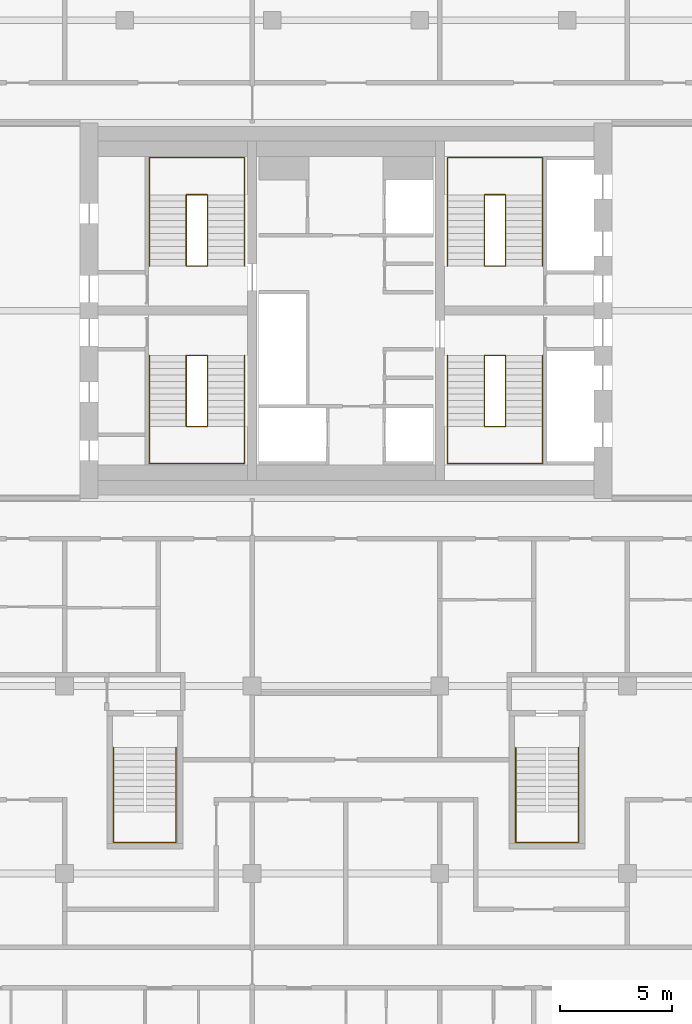
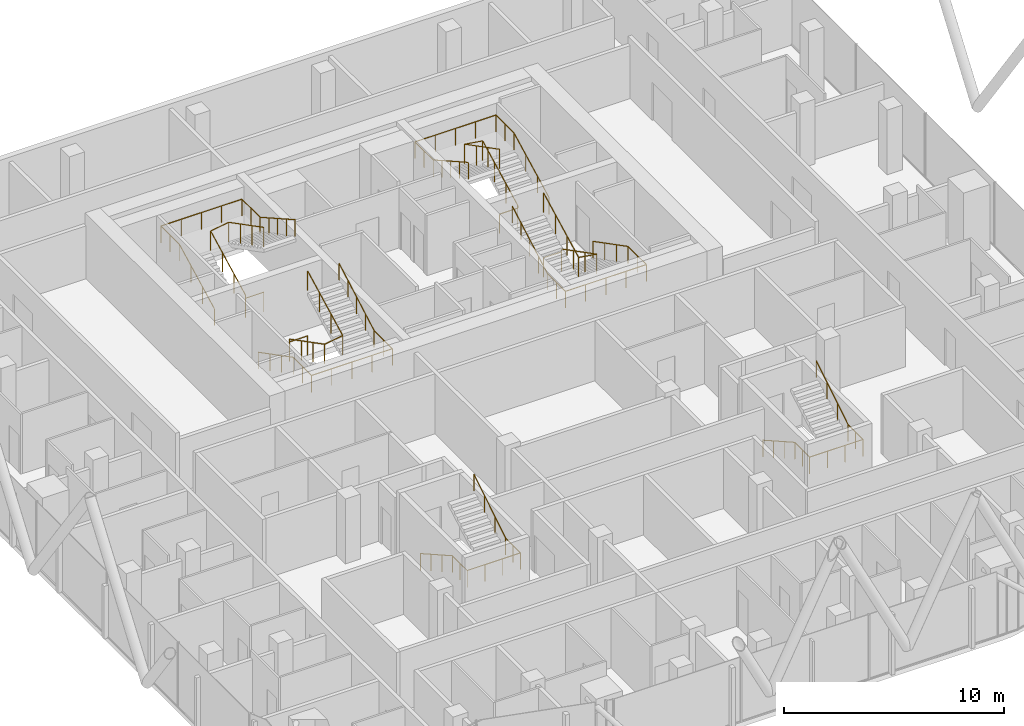
# One storey, part 28 of 28: 10 railings.
"""IFC4 building model written with IfcOpenShell, lengths in metres."""

from ifc_helpers import new_model, si_unit, direction, frame, origin, origin_2d, place, context, subcontext, project, spatial, circle, extrude, material, type_object, element, save


model = new_model("IFC4")

# Units and contexts
model_context = context("Model", 3, precision=1e-05, world=origin(), true_north=direction((0.0, 1.0)))
body_context = subcontext(model_context, "Body", "Model", "MODEL_VIEW")
ifc_project = project(units=[si_unit("LENGTHUNIT", "METRE"), si_unit("AREAUNIT", "SQUARE_METRE"), si_unit("VOLUMEUNIT", "CUBIC_METRE"), si_unit("PLANEANGLEUNIT", "RADIAN"), si_unit("MASSUNIT", "GRAM", prefix="KILO")], contexts=[model_context])

# Site, building, storey
site_placement = place(None, origin())
site = spatial("IfcSite", under=ifc_project, at=site_placement, CompositionType="ELEMENT")
building_placement = place(site_placement, origin())
building = spatial("IfcBuilding", under=site, at=building_placement, Name="Marenta Gate Hotel Tower", CompositionType="ELEMENT")
storey_placement = place(building_placement, frame((0.0, 0.0, 227.300048828125)))
storey = spatial("IfcBuildingStorey", under=building, at=storey_placement, Name="L53", CompositionType="ELEMENT", Elevation=227.300048828125)

# Railings
ifc_material_1 = material(Name="Stainless steel", Category="steel")
railing_type_1 = type_object("IfcRailingType", Name="Core stair handrail 950", PredefinedType="HANDRAIL", material=ifc_material_1)
railing_1_placement = place(storey_placement, frame((-8.800048828125, 6.39990234375, 0.14990234375)))
element("IfcRailing", 1, at=railing_1_placement, inside=storey, type_object=railing_type_1, Name="HR-950 L53-KR-ST1-1", PredefinedType="HANDRAIL", context=body_context, shape_type="SweptSolid", body=[
    extrude(circle(Radius=0.02392578125, at=origin_2d()), frame((0.0, 0.0, 0.92578125), z_axis=(0.0, -0.888197555067, 0.459461753765), x_axis=(1.0, 0.0, 0.0)), (0.0, 0.0, 1.0), 3.591552734375),
    extrude(circle(Radius=0.02392578125, at=origin_2d()), frame((0.0, -3.18994140625, 2.576171875), z_axis=(0.0, -1.0, 0.0), x_axis=(1.0, 0.0, 0.0)), (0.0, 0.0, 1.0), 1.659912109375),
    extrude(circle(Radius=0.02392578125, at=origin_2d()), frame((0.0, -4.849853515625, 2.576171875), z_axis=(1.0, 0.0, 0.0), x_axis=(0.0, 1.0, 0.0)), (0.0, 0.0, 1.0), 4.25),
    extrude(circle(Radius=0.02392578125, at=origin_2d()), frame((4.25, -4.849853515625, 2.576171875), z_axis=(0.0, 1.0, 0.0), x_axis=(-1.0, 0.0, 0.0)), (0.0, 0.0, 1.0), 1.659912109375),
    extrude(circle(Radius=0.02392578125, at=origin_2d()), frame((4.25, -3.18994140625, 2.576171875), z_axis=(0.0, 0.870937506535, 0.491393792911), x_axis=(-1.0, 0.0, 0.0)), (0.0, 0.0, 1.0), 3.66259765625),
    extrude(circle(Radius=0.02099609375, at=origin_2d()), origin(), (0.0, 0.0, 1.0), 0.90185546875),
    extrude(circle(Radius=0.02099609375, at=origin_2d()), frame((0.0, -1.063232421875, 0.550048828125)), (0.0, 0.0, 1.0), 0.90185546875),
    extrude(circle(Radius=0.02099609375, at=origin_2d()), frame((0.0, -2.126708984375, 1.10009765625)), (0.0, 0.0, 1.0), 0.90185546875),
    extrude(circle(Radius=0.02099609375, at=origin_2d()), frame((0.0, -3.18994140625, 1.650146484375)), (0.0, 0.0, 1.0), 0.90185546875),
    extrude(circle(Radius=0.02099609375, at=origin_2d()), frame((0.0, -4.02001953125, 1.650146484375)), (0.0, 0.0, 1.0), 0.90185546875),
    extrude(circle(Radius=0.02099609375, at=origin_2d()), frame((0.0, -4.849853515625, 1.650146484375)), (0.0, 0.0, 1.0), 0.90185546875),
    extrude(circle(Radius=0.02099609375, at=origin_2d()), frame((1.0625, -4.849853515625, 1.650146484375)), (0.0, 0.0, 1.0), 0.90185546875),
    extrude(circle(Radius=0.02099609375, at=origin_2d()), frame((2.125, -4.849853515625, 1.650146484375)), (0.0, 0.0, 1.0), 0.90185546875),
    extrude(circle(Radius=0.02099609375, at=origin_2d()), frame((3.1875, -4.849853515625, 1.650146484375)), (0.0, 0.0, 1.0), 0.90185546875),
    extrude(circle(Radius=0.02099609375, at=origin_2d()), frame((4.25, -4.849853515625, 1.650146484375)), (0.0, 0.0, 1.0), 0.90185546875),
    extrude(circle(Radius=0.02099609375, at=origin_2d()), frame((4.25, -4.02001953125, 1.650146484375)), (0.0, 0.0, 1.0), 0.90185546875),
    extrude(circle(Radius=0.02099609375, at=origin_2d()), frame((4.25, -3.18994140625, 1.650146484375)), (0.0, 0.0, 1.0), 0.90185546875),
    extrude(circle(Radius=0.02099609375, at=origin_2d()), frame((4.25, -2.392578125, 2.10009765625)), (0.0, 0.0, 1.0), 0.90185546875),
    extrude(circle(Radius=0.02099609375, at=origin_2d()), frame((4.25, -1.594970703125, 2.550048828125)), (0.0, 0.0, 1.0), 0.90185546875),
    extrude(circle(Radius=0.02099609375, at=origin_2d()), frame((4.25, -0.79736328125, 3.0)), (0.0, 0.0, 1.0), 0.90185546875),
    extrude(circle(Radius=0.02099609375, at=origin_2d()), frame((4.25, 0.0, 3.449951171875)), (0.0, 0.0, 1.0), 0.90185546875),
])
railing_2_placement = place(storey_placement, frame((-8.800048828125, 10.39990234375, 0.14990234375)))
element("IfcRailing", 2, at=railing_2_placement, inside=storey, type_object=railing_type_1, Name="HR-950 L53-KR-ST2-1", PredefinedType="HANDRAIL", context=body_context, shape_type="SweptSolid", body=[
    extrude(circle(Radius=0.02392578125, at=origin_2d()), frame((0.0, 0.0, 0.92578125), z_axis=(0.0, 0.888211904222, 0.459434013977), x_axis=(-1.0, 0.0, 0.0)), (0.0, 0.0, 1.0), 3.591796875),
    extrude(circle(Radius=0.02392578125, at=origin_2d()), frame((0.0, 3.190185546875, 2.576171875), z_axis=(0.0, 1.0, 0.0), x_axis=(-1.0, 0.0, 0.0)), (0.0, 0.0, 1.0), 1.659912109375),
    extrude(circle(Radius=0.02392578125, at=origin_2d()), frame((0.0, 4.85009765625, 2.576171875), z_axis=(1.0, 0.0, 0.0), x_axis=(0.0, 1.0, 0.0)), (0.0, 0.0, 1.0), 4.25),
    extrude(circle(Radius=0.02392578125, at=origin_2d()), frame((4.25, 4.85009765625, 2.576171875), z_axis=(0.0, -1.0, 0.0), x_axis=(1.0, 0.0, 0.0)), (0.0, 0.0, 1.0), 1.659912109375),
    extrude(circle(Radius=0.02392578125, at=origin_2d()), frame((4.25, 3.190185546875, 2.576171875), z_axis=(0.0, -0.870953600603, 0.491365266982), x_axis=(1.0, 0.0, 0.0)), (0.0, 0.0, 1.0), 3.662841796875),
    extrude(circle(Radius=0.02099609375, at=origin_2d()), origin(), (0.0, 0.0, 1.0), 0.90185546875),
    extrude(circle(Radius=0.02099609375, at=origin_2d()), frame((0.0, 1.0634765625, 0.550048828125)), (0.0, 0.0, 1.0), 0.90185546875),
    extrude(circle(Radius=0.02099609375, at=origin_2d()), frame((0.0, 2.126708984375, 1.10009765625)), (0.0, 0.0, 1.0), 0.90185546875),
    extrude(circle(Radius=0.02099609375, at=origin_2d()), frame((0.0, 3.190185546875, 1.650146484375)), (0.0, 0.0, 1.0), 0.90185546875),
    extrude(circle(Radius=0.02099609375, at=origin_2d()), frame((0.0, 4.02001953125, 1.650146484375)), (0.0, 0.0, 1.0), 0.90185546875),
    extrude(circle(Radius=0.02099609375, at=origin_2d()), frame((0.0, 4.85009765625, 1.650146484375)), (0.0, 0.0, 1.0), 0.90185546875),
    extrude(circle(Radius=0.02099609375, at=origin_2d()), frame((1.0625, 4.85009765625, 1.650146484375)), (0.0, 0.0, 1.0), 0.90185546875),
    extrude(circle(Radius=0.02099609375, at=origin_2d()), frame((2.125, 4.85009765625, 1.650146484375)), (0.0, 0.0, 1.0), 0.90185546875),
    extrude(circle(Radius=0.02099609375, at=origin_2d()), frame((3.1875, 4.85009765625, 1.650146484375)), (0.0, 0.0, 1.0), 0.90185546875),
    extrude(circle(Radius=0.02099609375, at=origin_2d()), frame((4.25, 4.85009765625, 1.650146484375)), (0.0, 0.0, 1.0), 0.90185546875),
    extrude(circle(Radius=0.02099609375, at=origin_2d()), frame((4.25, 4.02001953125, 1.650146484375)), (0.0, 0.0, 1.0), 0.90185546875),
    extrude(circle(Radius=0.02099609375, at=origin_2d()), frame((4.25, 3.190185546875, 1.650146484375)), (0.0, 0.0, 1.0), 0.90185546875),
    extrude(circle(Radius=0.02099609375, at=origin_2d()), frame((4.25, 2.392578125, 2.10009765625)), (0.0, 0.0, 1.0), 0.90185546875),
    extrude(circle(Radius=0.02099609375, at=origin_2d()), frame((4.25, 1.59521484375, 2.550048828125)), (0.0, 0.0, 1.0), 0.90185546875),
    extrude(circle(Radius=0.02099609375, at=origin_2d()), frame((4.25, 0.797607421875, 3.0)), (0.0, 0.0, 1.0), 0.90185546875),
    extrude(circle(Radius=0.02099609375, at=origin_2d()), frame((4.25, 0.0, 3.449951171875)), (0.0, 0.0, 1.0), 0.90185546875),
])
railing_3_placement = place(storey_placement, frame((8.800048828125, 6.39990234375, 0.14990234375)))
element("IfcRailing", 3, at=railing_3_placement, inside=storey, type_object=railing_type_1, Name="HR-950 L53-KR-ST3-1", PredefinedType="HANDRAIL", context=body_context, shape_type="SweptSolid", body=[
    extrude(circle(Radius=0.02392578125, at=origin_2d()), frame((0.0, 0.0, 0.92578125), z_axis=(0.0, -0.888197555067, 0.459461753765), x_axis=(1.0, 0.0, 0.0)), (0.0, 0.0, 1.0), 3.591552734375),
    extrude(circle(Radius=0.02392578125, at=origin_2d()), frame((0.0, -3.18994140625, 2.576171875), z_axis=(0.0, -1.0, 0.0), x_axis=(1.0, 0.0, 0.0)), (0.0, 0.0, 1.0), 1.659912109375),
    extrude(circle(Radius=0.02392578125, at=origin_2d()), frame((0.0, -4.849853515625, 2.576171875), z_axis=(-1.0, 0.0, 0.0), x_axis=(0.0, -1.0, 0.0)), (0.0, 0.0, 1.0), 4.25),
    extrude(circle(Radius=0.02392578125, at=origin_2d()), frame((-4.25, -4.849853515625, 2.576171875), z_axis=(0.0, 1.0, 0.0), x_axis=(-1.0, 0.0, 0.0)), (0.0, 0.0, 1.0), 1.659912109375),
    extrude(circle(Radius=0.02392578125, at=origin_2d()), frame((-4.25, -3.18994140625, 2.576171875), z_axis=(0.0, 0.870937506535, 0.491393792911), x_axis=(-1.0, 0.0, 0.0)), (0.0, 0.0, 1.0), 3.66259765625),
    extrude(circle(Radius=0.02099609375, at=origin_2d()), origin(), (0.0, 0.0, 1.0), 0.90185546875),
    extrude(circle(Radius=0.02099609375, at=origin_2d()), frame((0.0, -1.063232421875, 0.550048828125)), (0.0, 0.0, 1.0), 0.90185546875),
    extrude(circle(Radius=0.02099609375, at=origin_2d()), frame((0.0, -2.126708984375, 1.10009765625)), (0.0, 0.0, 1.0), 0.90185546875),
    extrude(circle(Radius=0.02099609375, at=origin_2d()), frame((0.0, -3.18994140625, 1.650146484375)), (0.0, 0.0, 1.0), 0.90185546875),
    extrude(circle(Radius=0.02099609375, at=origin_2d()), frame((0.0, -4.02001953125, 1.650146484375)), (0.0, 0.0, 1.0), 0.90185546875),
    extrude(circle(Radius=0.02099609375, at=origin_2d()), frame((0.0, -4.849853515625, 1.650146484375)), (0.0, 0.0, 1.0), 0.90185546875),
    extrude(circle(Radius=0.02099609375, at=origin_2d()), frame((-1.0625, -4.849853515625, 1.650146484375)), (0.0, 0.0, 1.0), 0.90185546875),
    extrude(circle(Radius=0.02099609375, at=origin_2d()), frame((-2.125, -4.849853515625, 1.650146484375)), (0.0, 0.0, 1.0), 0.90185546875),
    extrude(circle(Radius=0.02099609375, at=origin_2d()), frame((-3.1875, -4.849853515625, 1.650146484375)), (0.0, 0.0, 1.0), 0.90185546875),
    extrude(circle(Radius=0.02099609375, at=origin_2d()), frame((-4.25, -4.849853515625, 1.650146484375)), (0.0, 0.0, 1.0), 0.90185546875),
    extrude(circle(Radius=0.02099609375, at=origin_2d()), frame((-4.25, -4.02001953125, 1.650146484375)), (0.0, 0.0, 1.0), 0.90185546875),
    extrude(circle(Radius=0.02099609375, at=origin_2d()), frame((-4.25, -3.18994140625, 1.650146484375)), (0.0, 0.0, 1.0), 0.90185546875),
    extrude(circle(Radius=0.02099609375, at=origin_2d()), frame((-4.25, -2.392578125, 2.10009765625)), (0.0, 0.0, 1.0), 0.90185546875),
    extrude(circle(Radius=0.02099609375, at=origin_2d()), frame((-4.25, -1.594970703125, 2.550048828125)), (0.0, 0.0, 1.0), 0.90185546875),
    extrude(circle(Radius=0.02099609375, at=origin_2d()), frame((-4.25, -0.79736328125, 3.0)), (0.0, 0.0, 1.0), 0.90185546875),
    extrude(circle(Radius=0.02099609375, at=origin_2d()), frame((-4.25, 0.0, 3.449951171875)), (0.0, 0.0, 1.0), 0.90185546875),
])
railing_4_placement = place(storey_placement, frame((8.800048828125, 10.39990234375, 0.14990234375)))
element("IfcRailing", 4, at=railing_4_placement, inside=storey, type_object=railing_type_1, Name="HR-950 L53-KR-ST4-1", PredefinedType="HANDRAIL", context=body_context, shape_type="SweptSolid", body=[
    extrude(circle(Radius=0.02392578125, at=origin_2d()), frame((0.0, 0.0, 0.92578125), z_axis=(0.0, 0.888211904222, 0.459434013977), x_axis=(-1.0, 0.0, 0.0)), (0.0, 0.0, 1.0), 3.591796875),
    extrude(circle(Radius=0.02392578125, at=origin_2d()), frame((0.0, 3.190185546875, 2.576171875), z_axis=(0.0, 1.0, 0.0), x_axis=(-1.0, 0.0, 0.0)), (0.0, 0.0, 1.0), 1.659912109375),
    extrude(circle(Radius=0.02392578125, at=origin_2d()), frame((0.0, 4.85009765625, 2.576171875), z_axis=(-1.0, 0.0, 0.0), x_axis=(0.0, -1.0, 0.0)), (0.0, 0.0, 1.0), 4.25),
    extrude(circle(Radius=0.02392578125, at=origin_2d()), frame((-4.25, 4.85009765625, 2.576171875), z_axis=(0.0, -1.0, 0.0), x_axis=(1.0, 0.0, 0.0)), (0.0, 0.0, 1.0), 1.659912109375),
    extrude(circle(Radius=0.02392578125, at=origin_2d()), frame((-4.25, 3.190185546875, 2.576171875), z_axis=(0.0, -0.870953600603, 0.491365266982), x_axis=(1.0, 0.0, 0.0)), (0.0, 0.0, 1.0), 3.662841796875),
    extrude(circle(Radius=0.02099609375, at=origin_2d()), origin(), (0.0, 0.0, 1.0), 0.90185546875),
    extrude(circle(Radius=0.02099609375, at=origin_2d()), frame((0.0, 1.0634765625, 0.550048828125)), (0.0, 0.0, 1.0), 0.90185546875),
    extrude(circle(Radius=0.02099609375, at=origin_2d()), frame((0.0, 2.126708984375, 1.10009765625)), (0.0, 0.0, 1.0), 0.90185546875),
    extrude(circle(Radius=0.02099609375, at=origin_2d()), frame((0.0, 3.190185546875, 1.650146484375)), (0.0, 0.0, 1.0), 0.90185546875),
    extrude(circle(Radius=0.02099609375, at=origin_2d()), frame((0.0, 4.02001953125, 1.650146484375)), (0.0, 0.0, 1.0), 0.90185546875),
    extrude(circle(Radius=0.02099609375, at=origin_2d()), frame((0.0, 4.85009765625, 1.650146484375)), (0.0, 0.0, 1.0), 0.90185546875),
    extrude(circle(Radius=0.02099609375, at=origin_2d()), frame((-1.0625, 4.85009765625, 1.650146484375)), (0.0, 0.0, 1.0), 0.90185546875),
    extrude(circle(Radius=0.02099609375, at=origin_2d()), frame((-2.125, 4.85009765625, 1.650146484375)), (0.0, 0.0, 1.0), 0.90185546875),
    extrude(circle(Radius=0.02099609375, at=origin_2d()), frame((-3.1875, 4.85009765625, 1.650146484375)), (0.0, 0.0, 1.0), 0.90185546875),
    extrude(circle(Radius=0.02099609375, at=origin_2d()), frame((-4.25, 4.85009765625, 1.650146484375)), (0.0, 0.0, 1.0), 0.90185546875),
    extrude(circle(Radius=0.02099609375, at=origin_2d()), frame((-4.25, 4.02001953125, 1.650146484375)), (0.0, 0.0, 1.0), 0.90185546875),
    extrude(circle(Radius=0.02099609375, at=origin_2d()), frame((-4.25, 3.190185546875, 1.650146484375)), (0.0, 0.0, 1.0), 0.90185546875),
    extrude(circle(Radius=0.02099609375, at=origin_2d()), frame((-4.25, 2.392578125, 2.10009765625)), (0.0, 0.0, 1.0), 0.90185546875),
    extrude(circle(Radius=0.02099609375, at=origin_2d()), frame((-4.25, 1.59521484375, 2.550048828125)), (0.0, 0.0, 1.0), 0.90185546875),
    extrude(circle(Radius=0.02099609375, at=origin_2d()), frame((-4.25, 0.797607421875, 3.0)), (0.0, 0.0, 1.0), 0.90185546875),
    extrude(circle(Radius=0.02099609375, at=origin_2d()), frame((-4.25, 0.0, 3.449951171875)), (0.0, 0.0, 1.0), 0.90185546875),
])
railing_5_placement = place(storey_placement, frame((-10.39990234375, -11.14990234375, 0.16357421875)))
element("IfcRailing", 5, at=railing_5_placement, inside=storey, type_object=railing_type_1, Name="HR-950 L53-RS-Z3-1-KR-1", PredefinedType="HANDRAIL", context=body_context, shape_type="SweptSolid", body=[
    extrude(circle(Radius=0.02392578125, at=origin_2d()), frame((0.0, 0.0, 0.92578125), z_axis=(0.0, -0.870914908162, 0.491433843708), x_axis=(1.0, 0.0, 0.0)), (0.0, 0.0, 1.0), 3.330078125),
    extrude(circle(Radius=0.02392578125, at=origin_2d()), frame((0.0, -2.900146484375, 2.5625), z_axis=(0.0, -1.0, 0.0), x_axis=(1.0, 0.0, 0.0)), (0.0, 0.0, 1.0), 1.349853515625),
    extrude(circle(Radius=0.02392578125, at=origin_2d()), frame((0.0, -4.25, 2.5625), z_axis=(1.0, 0.0, 0.0), x_axis=(0.0, 1.0, 0.0)), (0.0, 0.0, 1.0), 2.7998046875),
    extrude(circle(Radius=0.02392578125, at=origin_2d()), frame((2.7998046875, -4.25, 2.5625), z_axis=(0.0, 1.0, 0.0), x_axis=(-1.0, 0.0, 0.0)), (0.0, 0.0, 1.0), 1.349853515625),
    extrude(circle(Radius=0.02392578125, at=origin_2d()), frame((2.7998046875, -2.900146484375, 2.5625), z_axis=(0.0, 0.849677739116, 0.527302322819), x_axis=(-1.0, 0.0, 0.0)), (0.0, 0.0, 1.0), 3.413330078125),
    extrude(circle(Radius=0.02099609375, at=origin_2d()), origin(), (0.0, 0.0, 1.0), 0.90185546875),
    extrude(circle(Radius=0.02099609375, at=origin_2d()), frame((0.0, -0.966796875, 0.54541015625)), (0.0, 0.0, 1.0), 0.90185546875),
    extrude(circle(Radius=0.02099609375, at=origin_2d()), frame((0.0, -1.933349609375, 1.091064453125)), (0.0, 0.0, 1.0), 0.90185546875),
    extrude(circle(Radius=0.02099609375, at=origin_2d()), frame((0.0, -2.900146484375, 1.636474609375)), (0.0, 0.0, 1.0), 0.90185546875),
    extrude(circle(Radius=0.02099609375, at=origin_2d()), frame((0.0, -3.5751953125, 1.636474609375)), (0.0, 0.0, 1.0), 0.90185546875),
    extrude(circle(Radius=0.02099609375, at=origin_2d()), frame((0.0, -4.25, 1.636474609375)), (0.0, 0.0, 1.0), 0.90185546875),
    extrude(circle(Radius=0.02099609375, at=origin_2d()), frame((0.933349609375, -4.25, 1.636474609375)), (0.0, 0.0, 1.0), 0.90185546875),
    extrude(circle(Radius=0.02099609375, at=origin_2d()), frame((1.866455078125, -4.25, 1.636474609375)), (0.0, 0.0, 1.0), 0.90185546875),
    extrude(circle(Radius=0.02099609375, at=origin_2d()), frame((2.7998046875, -4.25, 1.636474609375)), (0.0, 0.0, 1.0), 0.90185546875),
    extrude(circle(Radius=0.02099609375, at=origin_2d()), frame((2.7998046875, -3.5751953125, 1.636474609375)), (0.0, 0.0, 1.0), 0.90185546875),
    extrude(circle(Radius=0.02099609375, at=origin_2d()), frame((2.7998046875, -2.900146484375, 1.636474609375)), (0.0, 0.0, 1.0), 0.90185546875),
    extrude(circle(Radius=0.02099609375, at=origin_2d()), frame((2.7998046875, -1.933349609375, 2.236328125)), (0.0, 0.0, 1.0), 0.90185546875),
    extrude(circle(Radius=0.02099609375, at=origin_2d()), frame((2.7998046875, -0.966796875, 2.83642578125)), (0.0, 0.0, 1.0), 0.90185546875),
    extrude(circle(Radius=0.02099609375, at=origin_2d()), frame((2.7998046875, 0.0, 3.436279296875)), (0.0, 0.0, 1.0), 0.90185546875),
])
railing_6_placement = place(storey_placement, frame((7.60009765625, -11.14990234375, 0.16357421875)))
element("IfcRailing", 6, at=railing_6_placement, inside=storey, type_object=railing_type_1, Name="HR-950 L53-RS-Z3-2-KR-1", PredefinedType="HANDRAIL", context=body_context, shape_type="SweptSolid", body=[
    extrude(circle(Radius=0.02392578125, at=origin_2d()), frame((0.0, 0.0, 0.92578125), z_axis=(0.0, -0.870914908162, 0.491433843708), x_axis=(1.0, 0.0, 0.0)), (0.0, 0.0, 1.0), 3.330078125),
    extrude(circle(Radius=0.02392578125, at=origin_2d()), frame((0.0, -2.900146484375, 2.5625), z_axis=(0.0, -1.0, 0.0), x_axis=(1.0, 0.0, 0.0)), (0.0, 0.0, 1.0), 1.349853515625),
    extrude(circle(Radius=0.02392578125, at=origin_2d()), frame((0.0, -4.25, 2.5625), z_axis=(1.0, 0.0, 0.0), x_axis=(0.0, 1.0, 0.0)), (0.0, 0.0, 1.0), 2.7998046875),
    extrude(circle(Radius=0.02392578125, at=origin_2d()), frame((2.7998046875, -4.25, 2.5625), z_axis=(0.0, 1.0, 0.0), x_axis=(-1.0, 0.0, 0.0)), (0.0, 0.0, 1.0), 1.349853515625),
    extrude(circle(Radius=0.02392578125, at=origin_2d()), frame((2.7998046875, -2.900146484375, 2.5625), z_axis=(0.0, 0.849677739116, 0.527302322819), x_axis=(-1.0, 0.0, 0.0)), (0.0, 0.0, 1.0), 3.413330078125),
    extrude(circle(Radius=0.02099609375, at=origin_2d()), origin(), (0.0, 0.0, 1.0), 0.90185546875),
    extrude(circle(Radius=0.02099609375, at=origin_2d()), frame((0.0, -0.966796875, 0.54541015625)), (0.0, 0.0, 1.0), 0.90185546875),
    extrude(circle(Radius=0.02099609375, at=origin_2d()), frame((0.0, -1.933349609375, 1.091064453125)), (0.0, 0.0, 1.0), 0.90185546875),
    extrude(circle(Radius=0.02099609375, at=origin_2d()), frame((0.0, -2.900146484375, 1.636474609375)), (0.0, 0.0, 1.0), 0.90185546875),
    extrude(circle(Radius=0.02099609375, at=origin_2d()), frame((0.0, -3.5751953125, 1.636474609375)), (0.0, 0.0, 1.0), 0.90185546875),
    extrude(circle(Radius=0.02099609375, at=origin_2d()), frame((0.0, -4.25, 1.636474609375)), (0.0, 0.0, 1.0), 0.90185546875),
    extrude(circle(Radius=0.02099609375, at=origin_2d()), frame((0.933349609375, -4.25, 1.636474609375)), (0.0, 0.0, 1.0), 0.90185546875),
    extrude(circle(Radius=0.02099609375, at=origin_2d()), frame((1.866455078125, -4.25, 1.636474609375)), (0.0, 0.0, 1.0), 0.90185546875),
    extrude(circle(Radius=0.02099609375, at=origin_2d()), frame((2.7998046875, -4.25, 1.636474609375)), (0.0, 0.0, 1.0), 0.90185546875),
    extrude(circle(Radius=0.02099609375, at=origin_2d()), frame((2.7998046875, -3.5751953125, 1.636474609375)), (0.0, 0.0, 1.0), 0.90185546875),
    extrude(circle(Radius=0.02099609375, at=origin_2d()), frame((2.7998046875, -2.900146484375, 1.636474609375)), (0.0, 0.0, 1.0), 0.90185546875),
    extrude(circle(Radius=0.02099609375, at=origin_2d()), frame((2.7998046875, -1.933349609375, 2.236328125)), (0.0, 0.0, 1.0), 0.90185546875),
    extrude(circle(Radius=0.02099609375, at=origin_2d()), frame((2.7998046875, -0.966796875, 2.83642578125)), (0.0, 0.0, 1.0), 0.90185546875),
    extrude(circle(Radius=0.02099609375, at=origin_2d()), frame((2.7998046875, 0.0, 3.436279296875)), (0.0, 0.0, 1.0), 0.90185546875),
])
ifc_material_2 = material(Name="Stainless steel", Category="steel")
railing_type_2 = type_object("IfcRailingType", Name="Core stair well guard 1100", PredefinedType="GUARDRAIL", material=ifc_material_2)
railing_7_placement = place(storey_placement, frame((-6.199951171875, 6.39990234375, 0.0)))
element("IfcRailing", 7, at=railing_7_placement, inside=storey, type_object=railing_type_2, Name="GR-1100 L53-KR-ST1-2", PredefinedType="GUARDRAIL", context=body_context, shape_type="SweptSolid", body=[
    extrude(circle(Radius=0.02392578125, at=origin_2d()), frame((0.0, 0.0, 1.076171875), z_axis=(-1.0, 0.0, 0.0), x_axis=(0.0, -1.0, 0.0)), (0.0, 0.0, 1.0), 0.949951171875),
    extrude(circle(Radius=0.02392578125, at=origin_2d()), frame((-0.949951171875, 0.0, 1.076171875), z_axis=(0.0, 0.0, 1.0), x_axis=(1.0, 0.0, 0.0)), (0.0, 0.0, 1.0), 0.14990234375),
    extrude(circle(Radius=0.02392578125, at=origin_2d()), frame((-0.949951171875, 0.0, 1.22607421875), z_axis=(0.0, -0.888197555067, 0.459461753765), x_axis=(1.0, 0.0, 0.0)), (0.0, 0.0, 1.0), 3.591552734375),
    extrude(circle(Radius=0.02392578125, at=origin_2d()), frame((-0.949951171875, -3.18994140625, 2.8759765625), z_axis=(0.987777369502, 0.0, 0.15587131968), x_axis=(0.0, 1.0, 0.0)), (0.0, 0.0, 1.0), 0.961669921875),
    extrude(circle(Radius=0.02392578125, at=origin_2d()), frame((0.0, -3.18994140625, 3.02587890625), z_axis=(0.0, 0.888225295554, 0.459408123936), x_axis=(-1.0, 0.0, 0.0)), (0.0, 0.0, 1.0), 3.59130859375),
    extrude(circle(Radius=0.02099609375, at=origin_2d()), origin(), (0.0, 0.0, 1.0), 1.052001953125),
    extrude(circle(Radius=0.02099609375, at=origin_2d()), frame((-0.949951171875, 0.0, 0.0)), (0.0, 0.0, 1.0), 1.052001953125),
    extrude(circle(Radius=0.02099609375, at=origin_2d()), frame((-0.949951171875, 0.0, 0.14990234375)), (0.0, 0.0, 1.0), 1.052001953125),
    extrude(circle(Radius=0.02099609375, at=origin_2d()), frame((-0.949951171875, -1.063232421875, 0.699951171875)), (0.0, 0.0, 1.0), 1.052001953125),
    extrude(circle(Radius=0.02099609375, at=origin_2d()), frame((-0.949951171875, -2.126708984375, 1.25)), (0.0, 0.0, 1.0), 1.052001953125),
    extrude(circle(Radius=0.02099609375, at=origin_2d()), frame((-0.949951171875, -3.18994140625, 1.800048828125)), (0.0, 0.0, 1.0), 1.052001953125),
    extrude(circle(Radius=0.02099609375, at=origin_2d()), frame((0.0, -3.18994140625, 1.949951171875)), (0.0, 0.0, 1.0), 1.052001953125),
    extrude(circle(Radius=0.02099609375, at=origin_2d()), frame((0.0, -2.126708984375, 2.5)), (0.0, 0.0, 1.0), 1.052001953125),
    extrude(circle(Radius=0.02099609375, at=origin_2d()), frame((0.0, -1.063232421875, 3.0498046875)), (0.0, 0.0, 1.0), 1.052001953125),
    extrude(circle(Radius=0.02099609375, at=origin_2d()), frame((0.0, 0.0, 3.599853515625)), (0.0, 0.0, 1.0), 1.052001953125),
])
railing_8_placement = place(storey_placement, frame((-6.199951171875, 10.39990234375, 0.0)))
element("IfcRailing", 8, at=railing_8_placement, inside=storey, type_object=railing_type_2, Name="GR-1100 L53-KR-ST2-2", PredefinedType="GUARDRAIL", context=body_context, shape_type="SweptSolid", body=[
    extrude(circle(Radius=0.02392578125, at=origin_2d()), frame((0.0, 0.0, 1.076171875), z_axis=(-1.0, 0.0, 0.0), x_axis=(0.0, -1.0, 0.0)), (0.0, 0.0, 1.0), 0.949951171875),
    extrude(circle(Radius=0.02392578125, at=origin_2d()), frame((-0.949951171875, 0.0, 1.076171875), z_axis=(0.0, 0.0, 1.0), x_axis=(1.0, 0.0, 0.0)), (0.0, 0.0, 1.0), 0.14990234375),
    extrude(circle(Radius=0.02392578125, at=origin_2d()), frame((-0.949951171875, 0.0, 1.22607421875), z_axis=(0.0, 0.888211904222, 0.459434013977), x_axis=(-1.0, 0.0, 0.0)), (0.0, 0.0, 1.0), 3.591796875),
    extrude(circle(Radius=0.02392578125, at=origin_2d()), frame((-0.949951171875, 3.190185546875, 2.8759765625), z_axis=(0.987777369502, 0.0, 0.15587131968), x_axis=(0.0, 1.0, 0.0)), (0.0, 0.0, 1.0), 0.961669921875),
    extrude(circle(Radius=0.02392578125, at=origin_2d()), frame((0.0, 3.190185546875, 3.02587890625), z_axis=(0.0, -0.888239641807, 0.459380385653), x_axis=(1.0, 0.0, 0.0)), (0.0, 0.0, 1.0), 3.591552734375),
    extrude(circle(Radius=0.02099609375, at=origin_2d()), origin(), (0.0, 0.0, 1.0), 1.052001953125),
    extrude(circle(Radius=0.02099609375, at=origin_2d()), frame((-0.949951171875, 0.0, 0.0)), (0.0, 0.0, 1.0), 1.052001953125),
    extrude(circle(Radius=0.02099609375, at=origin_2d()), frame((-0.949951171875, 0.0, 0.14990234375)), (0.0, 0.0, 1.0), 1.052001953125),
    extrude(circle(Radius=0.02099609375, at=origin_2d()), frame((-0.949951171875, 1.0634765625, 0.699951171875)), (0.0, 0.0, 1.0), 1.052001953125),
    extrude(circle(Radius=0.02099609375, at=origin_2d()), frame((-0.949951171875, 2.126708984375, 1.25)), (0.0, 0.0, 1.0), 1.052001953125),
    extrude(circle(Radius=0.02099609375, at=origin_2d()), frame((-0.949951171875, 3.190185546875, 1.800048828125)), (0.0, 0.0, 1.0), 1.052001953125),
    extrude(circle(Radius=0.02099609375, at=origin_2d()), frame((0.0, 3.190185546875, 1.949951171875)), (0.0, 0.0, 1.0), 1.052001953125),
    extrude(circle(Radius=0.02099609375, at=origin_2d()), frame((0.0, 2.126708984375, 2.5)), (0.0, 0.0, 1.0), 1.052001953125),
    extrude(circle(Radius=0.02099609375, at=origin_2d()), frame((0.0, 1.0634765625, 3.0498046875)), (0.0, 0.0, 1.0), 1.052001953125),
    extrude(circle(Radius=0.02099609375, at=origin_2d()), frame((0.0, 0.0, 3.599853515625)), (0.0, 0.0, 1.0), 1.052001953125),
])
railing_9_placement = place(storey_placement, frame((6.199951171875, 6.39990234375, 0.0)))
element("IfcRailing", 9, at=railing_9_placement, inside=storey, type_object=railing_type_2, Name="GR-1100 L53-KR-ST3-2", PredefinedType="GUARDRAIL", context=body_context, shape_type="SweptSolid", body=[
    extrude(circle(Radius=0.02392578125, at=origin_2d()), frame((0.0, 0.0, 1.076171875), z_axis=(1.0, 0.0, 0.0), x_axis=(0.0, 1.0, 0.0)), (0.0, 0.0, 1.0), 0.949951171875),
    extrude(circle(Radius=0.02392578125, at=origin_2d()), frame((0.949951171875, 0.0, 1.076171875), z_axis=(0.0, 0.0, 1.0), x_axis=(1.0, 0.0, 0.0)), (0.0, 0.0, 1.0), 0.14990234375),
    extrude(circle(Radius=0.02392578125, at=origin_2d()), frame((0.949951171875, 0.0, 1.22607421875), z_axis=(0.0, -0.888197555067, 0.459461753765), x_axis=(1.0, 0.0, 0.0)), (0.0, 0.0, 1.0), 3.591552734375),
    extrude(circle(Radius=0.02392578125, at=origin_2d()), frame((0.949951171875, -3.18994140625, 2.8759765625), z_axis=(-0.987777369502, 0.0, 0.15587131968), x_axis=(0.0, -1.0, 0.0)), (0.0, 0.0, 1.0), 0.961669921875),
    extrude(circle(Radius=0.02392578125, at=origin_2d()), frame((0.0, -3.18994140625, 3.02587890625), z_axis=(0.0, 0.888225295554, 0.459408123936), x_axis=(-1.0, 0.0, 0.0)), (0.0, 0.0, 1.0), 3.59130859375),
    extrude(circle(Radius=0.02099609375, at=origin_2d()), origin(), (0.0, 0.0, 1.0), 1.052001953125),
    extrude(circle(Radius=0.02099609375, at=origin_2d()), frame((0.949951171875, 0.0, 0.0)), (0.0, 0.0, 1.0), 1.052001953125),
    extrude(circle(Radius=0.02099609375, at=origin_2d()), frame((0.949951171875, 0.0, 0.14990234375)), (0.0, 0.0, 1.0), 1.052001953125),
    extrude(circle(Radius=0.02099609375, at=origin_2d()), frame((0.949951171875, -1.063232421875, 0.699951171875)), (0.0, 0.0, 1.0), 1.052001953125),
    extrude(circle(Radius=0.02099609375, at=origin_2d()), frame((0.949951171875, -2.126708984375, 1.25)), (0.0, 0.0, 1.0), 1.052001953125),
    extrude(circle(Radius=0.02099609375, at=origin_2d()), frame((0.949951171875, -3.18994140625, 1.800048828125)), (0.0, 0.0, 1.0), 1.052001953125),
    extrude(circle(Radius=0.02099609375, at=origin_2d()), frame((0.0, -3.18994140625, 1.949951171875)), (0.0, 0.0, 1.0), 1.052001953125),
    extrude(circle(Radius=0.02099609375, at=origin_2d()), frame((0.0, -2.126708984375, 2.5)), (0.0, 0.0, 1.0), 1.052001953125),
    extrude(circle(Radius=0.02099609375, at=origin_2d()), frame((0.0, -1.063232421875, 3.0498046875)), (0.0, 0.0, 1.0), 1.052001953125),
    extrude(circle(Radius=0.02099609375, at=origin_2d()), frame((0.0, 0.0, 3.599853515625)), (0.0, 0.0, 1.0), 1.052001953125),
])
railing_10_placement = place(storey_placement, frame((6.199951171875, 10.39990234375, 0.0)))
element("IfcRailing", 10, at=railing_10_placement, inside=storey, type_object=railing_type_2, Name="GR-1100 L53-KR-ST4-2", PredefinedType="GUARDRAIL", context=body_context, shape_type="SweptSolid", body=[
    extrude(circle(Radius=0.02392578125, at=origin_2d()), frame((0.0, 0.0, 1.076171875), z_axis=(1.0, 0.0, 0.0), x_axis=(0.0, 1.0, 0.0)), (0.0, 0.0, 1.0), 0.949951171875),
    extrude(circle(Radius=0.02392578125, at=origin_2d()), frame((0.949951171875, 0.0, 1.076171875), z_axis=(0.0, 0.0, 1.0), x_axis=(1.0, 0.0, 0.0)), (0.0, 0.0, 1.0), 0.14990234375),
    extrude(circle(Radius=0.02392578125, at=origin_2d()), frame((0.949951171875, 0.0, 1.22607421875), z_axis=(0.0, 0.888211904222, 0.459434013977), x_axis=(-1.0, 0.0, 0.0)), (0.0, 0.0, 1.0), 3.591796875),
    extrude(circle(Radius=0.02392578125, at=origin_2d()), frame((0.949951171875, 3.190185546875, 2.8759765625), z_axis=(-0.987777369502, 0.0, 0.15587131968), x_axis=(0.0, -1.0, 0.0)), (0.0, 0.0, 1.0), 0.961669921875),
    extrude(circle(Radius=0.02392578125, at=origin_2d()), frame((0.0, 3.190185546875, 3.02587890625), z_axis=(0.0, -0.888239641807, 0.459380385653), x_axis=(1.0, 0.0, 0.0)), (0.0, 0.0, 1.0), 3.591552734375),
    extrude(circle(Radius=0.02099609375, at=origin_2d()), origin(), (0.0, 0.0, 1.0), 1.052001953125),
    extrude(circle(Radius=0.02099609375, at=origin_2d()), frame((0.949951171875, 0.0, 0.0)), (0.0, 0.0, 1.0), 1.052001953125),
    extrude(circle(Radius=0.02099609375, at=origin_2d()), frame((0.949951171875, 0.0, 0.14990234375)), (0.0, 0.0, 1.0), 1.052001953125),
    extrude(circle(Radius=0.02099609375, at=origin_2d()), frame((0.949951171875, 1.0634765625, 0.699951171875)), (0.0, 0.0, 1.0), 1.052001953125),
    extrude(circle(Radius=0.02099609375, at=origin_2d()), frame((0.949951171875, 2.126708984375, 1.25)), (0.0, 0.0, 1.0), 1.052001953125),
    extrude(circle(Radius=0.02099609375, at=origin_2d()), frame((0.949951171875, 3.190185546875, 1.800048828125)), (0.0, 0.0, 1.0), 1.052001953125),
    extrude(circle(Radius=0.02099609375, at=origin_2d()), frame((0.0, 3.190185546875, 1.949951171875)), (0.0, 0.0, 1.0), 1.052001953125),
    extrude(circle(Radius=0.02099609375, at=origin_2d()), frame((0.0, 2.126708984375, 2.5)), (0.0, 0.0, 1.0), 1.052001953125),
    extrude(circle(Radius=0.02099609375, at=origin_2d()), frame((0.0, 1.0634765625, 3.0498046875)), (0.0, 0.0, 1.0), 1.052001953125),
    extrude(circle(Radius=0.02099609375, at=origin_2d()), frame((0.0, 0.0, 3.599853515625)), (0.0, 0.0, 1.0), 1.052001953125),
])

save(model, "model.ifc")
